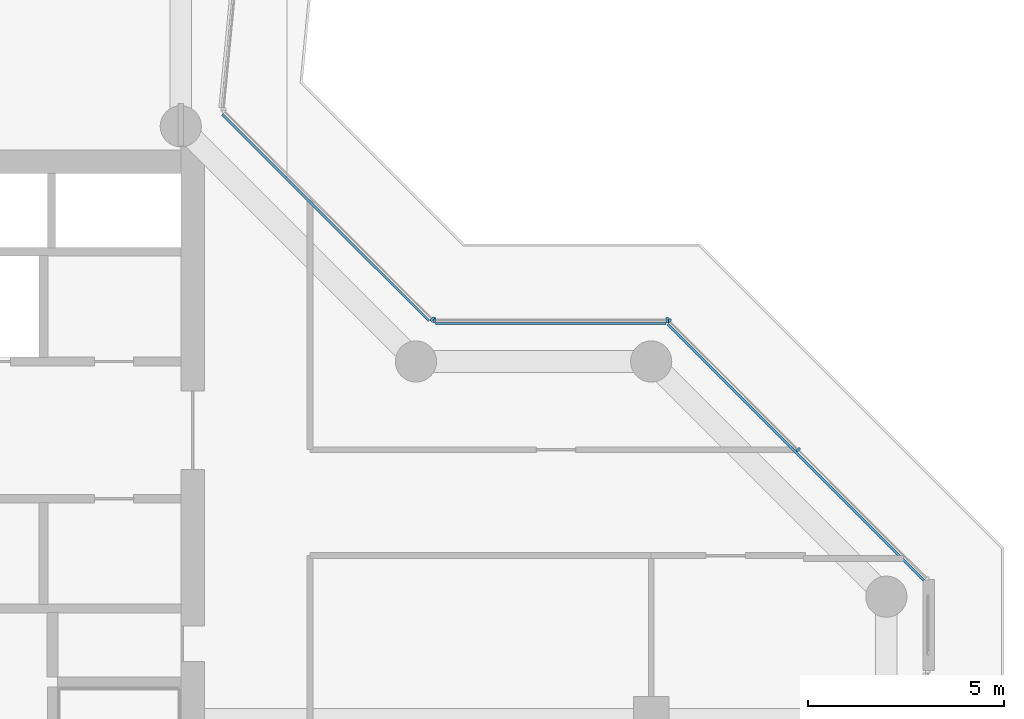
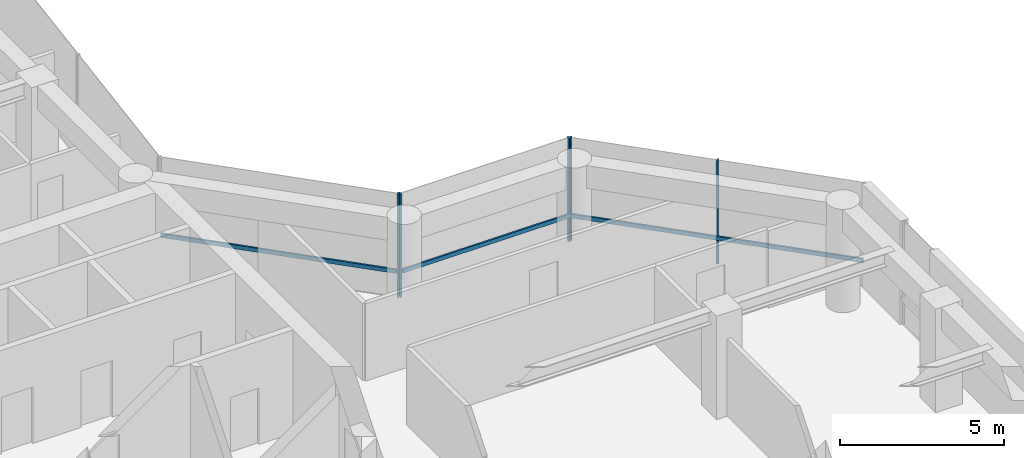
# One storey, part 7 of 23: 8 members, 3 elements without a shape of their own.
"""IFC4 building model written with IfcOpenShell, lengths in metres."""

from ifc_helpers import new_model, si_unit, direction, frame, origin, origin_2d, place, context, subcontext, project, spatial, rectangle, extrude, material, layer, layer_set, material_profile, profile_set, type_object, element, aggregate, save


model = new_model("IFC4")

# Units and contexts
model_context = context("Model", 3, precision=1e-05, world=origin(), true_north=direction((0.0, 1.0)))
body_context = subcontext(model_context, "Body", "Model", "MODEL_VIEW")
ifc_project = project(units=[si_unit("LENGTHUNIT", "METRE"), si_unit("AREAUNIT", "SQUARE_METRE"), si_unit("VOLUMEUNIT", "CUBIC_METRE"), si_unit("PLANEANGLEUNIT", "RADIAN"), si_unit("MASSUNIT", "GRAM", prefix="KILO")], contexts=[model_context])

# Site, building, storey
site_placement = place(None, origin())
site = spatial("IfcSite", under=ifc_project, at=site_placement, CompositionType="ELEMENT")
building_placement = place(site_placement, origin())
building = spatial("IfcBuilding", under=site, at=building_placement, Name="Welwitschia Terrace Campus", CompositionType="ELEMENT")
storey_placement = place(building_placement, frame((0.0, 0.0, 146.60009765625)))
storey = spatial("IfcBuildingStorey", under=building, at=storey_placement, Name="L32", CompositionType="ELEMENT", Elevation=146.60009765625)

# Curtain wall, members
ifc_material_1 = material(Name="Bronze anodised aluminium", Category="aluminium")
ifc_layer = layer(ifc_material_1, 0.1201171875)
ifc_layer_set = layer_set([ifc_layer], Name="Bronze anodised aluminium")
curtain_wall_type = type_object("IfcCurtainWallType", Name="Curtain wall CW2 tower 6000", PredefinedType="NOTDEFINED", material=ifc_layer_set)
curtain_wall_1_placement = place(storey_placement, origin())
curtain_wall_1 = element("IfcCurtainWall", 1, at=curtain_wall_1_placement, inside=storey, type_object=curtain_wall_type, Name="CW L32.9.0", PredefinedType="NOTDEFINED")
ifc_material_2 = material(Name="Bronze anodised aluminium", Category="aluminium")
ifc_material_profile_1 = material_profile(ifc_material_2, rectangle(XDim=0.1201171875, YDim=0.06005859375, at=origin_2d()))
ifc_profile_set_1 = profile_set([ifc_material_profile_1], Name="Bronze anodised aluminium")
member_type_1 = type_object("IfcMemberType", Name="Mullion 60x120", PredefinedType="MULLION", material=ifc_profile_set_1)
member_1_placement = place(storey_placement, frame((39.748046875, 17.748046875, 0.0), z_axis=(0.0, 0.0, 1.0), x_axis=(-0.707106781187, -0.707106781187, 0.0)))
member_1 = element("IfcMember", 2, at=member_1_placement, type_object=member_type_1, Name="Mullion L32.9.0.1", PredefinedType="MULLION", context=body_context, shape_type="SweptSolid", body=[
    extrude(rectangle(XDim=0.1201171875, YDim=0.06005859375, at=origin_2d()), origin(), (0.0, 0.0, 1.0), 3.849853515625),
])
member_2_placement = place(storey_placement, frame((36.45947265625, 21.036865234375, 0.0), z_axis=(0.0, 0.0, 1.0), x_axis=(-0.707106781187, -0.707106781187, 0.0)))
member_2 = element("IfcMember", 3, at=member_2_placement, type_object=member_type_1, Name="Mullion L32.9.0.2", PredefinedType="MULLION", context=body_context, shape_type="SweptSolid", body=[
    extrude(rectangle(XDim=0.1201171875, YDim=0.06005859375, at=origin_2d()), origin(), (0.0, 0.0, 1.0), 3.849853515625),
])

curtain_wall_2_placement = place(storey_placement, origin())
curtain_wall_2 = element("IfcCurtainWall", 4, at=curtain_wall_2_placement, inside=storey, type_object=curtain_wall_type, Name="CW L32.10.0", PredefinedType="NOTDEFINED")
member_3_placement = place(storey_placement, frame((36.408203125, 21.05810546875, 0.0), z_axis=(0.0, 0.0, 1.0), x_axis=(0.0, -1.0, 0.0)))
member_3 = element("IfcMember", 5, at=member_3_placement, type_object=member_type_1, Name="Mullion L32.10.0.0", PredefinedType="MULLION", context=body_context, shape_type="SweptSolid", body=[
    extrude(rectangle(XDim=0.1201171875, YDim=0.06005859375, at=origin_2d()), origin(), (0.0, 0.0, 1.0), 3.849853515625),
])
member_4_placement = place(storey_placement, frame((30.46826171875, 21.05810546875, 0.0), z_axis=(0.0, 0.0, 1.0), x_axis=(0.0, -1.0, 0.0)))
member_4 = element("IfcMember", 6, at=member_4_placement, type_object=member_type_1, Name="Mullion L32.10.0.1", PredefinedType="MULLION", context=body_context, shape_type="SweptSolid", body=[
    extrude(rectangle(XDim=0.1201171875, YDim=0.06005859375, at=origin_2d()), origin(), (0.0, 0.0, 1.0), 3.849853515625),
])

# Curtain wall, member
curtain_wall_3_placement = place(storey_placement, origin())
curtain_wall_3 = element("IfcCurtainWall", 7, at=curtain_wall_3_placement, inside=storey, type_object=curtain_wall_type, Name="CW L32.11.0", PredefinedType="NOTDEFINED")
member_5_placement = place(storey_placement, frame((30.4169921875, 21.0791015625, 0.0), z_axis=(0.0, 0.0, 1.0), x_axis=(-0.707106781187, -0.707106781187, 0.0)))
member_5 = element("IfcMember", 8, at=member_5_placement, type_object=member_type_1, Name="Mullion L32.11.0.0", PredefinedType="MULLION", context=body_context, shape_type="SweptSolid", body=[
    extrude(rectangle(XDim=0.1201171875, YDim=0.06005859375, at=origin_2d()), origin(), (0.0, 0.0, 1.0), 3.849853515625),
])

# Member
ifc_material_3 = material(Name="Bronze anodised aluminium", Category="aluminium")
ifc_material_profile_2 = material_profile(ifc_material_3, rectangle(XDim=0.06005859375, YDim=0.14990234375, at=origin_2d()))
ifc_profile_set_2 = profile_set([ifc_material_profile_2], Name="Bronze anodised aluminium")
member_type_2 = type_object("IfcMemberType", Name="Transom 60x150", PredefinedType="USERDEFINED", material=ifc_profile_set_2)
member_6_placement = place(storey_placement, frame((42.951904296875, 14.4169921875, 1.0), z_axis=(-0.707106781187, 0.707106781187, 0.0), x_axis=(-0.707106781187, -0.707106781187, 0.0)))
member_6 = element("IfcMember", 9, at=member_6_placement, type_object=member_type_2, Name="Transom L32.9.0", ObjectType="TRANSOM", PredefinedType="USERDEFINED", context=body_context, shape_type="SweptSolid", body=[
    extrude(rectangle(XDim=0.06005859375, YDim=0.14990234375, at=origin_2d()), origin(), (0.0, 0.0, 1.0), 9.24169921875),
])

aggregate(curtain_wall_1, [member_1, member_2, member_6])

member_7_placement = place(storey_placement, frame((36.378173828125, 20.968017578125, 1.0), z_axis=(-1.0, 0.0, 0.0), x_axis=(0.0, -1.0, 0.0)))
member_7 = element("IfcMember", 10, at=member_7_placement, type_object=member_type_2, Name="Transom L32.10.0", ObjectType="TRANSOM", PredefinedType="USERDEFINED", context=body_context, shape_type="SweptSolid", body=[
    extrude(rectangle(XDim=0.06005859375, YDim=0.14990234375, at=origin_2d()), origin(), (0.0, 0.0, 1.0), 5.8798828125),
])

aggregate(curtain_wall_2, [member_3, member_4, member_7])

member_8_placement = place(storey_placement, frame((30.332275390625, 21.036865234375, 1.0), z_axis=(-0.707123167796, 0.707090394197, 0.0), x_axis=(-0.707090394197, -0.707123167796, 0.0)))
member_8 = element("IfcMember", 11, at=member_8_placement, type_object=member_type_2, Name="Transom L32.11.0", ObjectType="TRANSOM", PredefinedType="USERDEFINED", context=body_context, shape_type="SweptSolid", body=[
    extrude(rectangle(XDim=0.06005859375, YDim=0.14990234375, at=origin_2d()), origin(), (0.0, 0.0, 1.0), 7.44921875),
])

aggregate(curtain_wall_3, [member_5, member_8])

save(model, "model.ifc")
